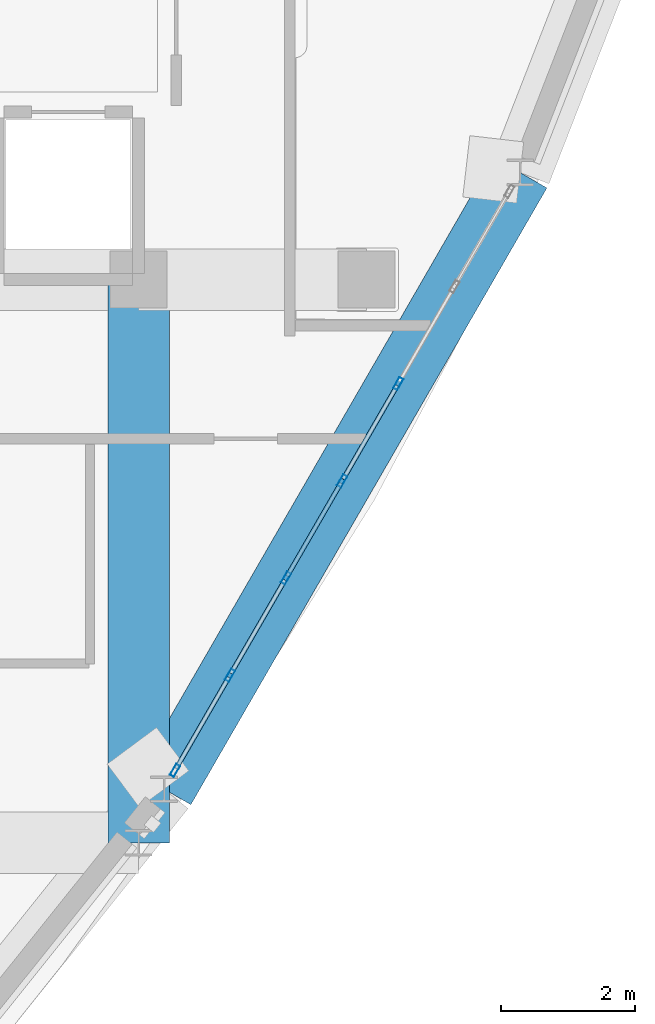
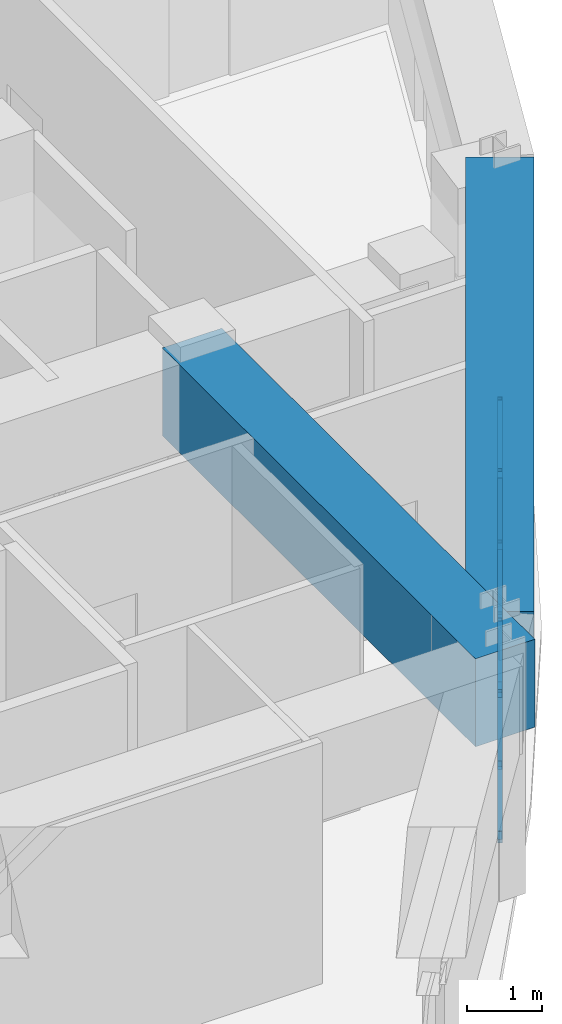
# One storey, part 4 of 16: 14 members, 2 beams, 1 element without a shape of its own.
"""IFC4 building model written with IfcOpenShell, lengths in metres."""

from ifc_helpers import new_model, si_unit, derived_unit, direction, frame, origin, origin_2d, place, context, subcontext, project, spatial, rectangle, hollow_rectangle, extrude, source, transform, mapped, material, layer, layer_set, material_profile, profile_set, type_object, element, aggregate, save


model = new_model("IFC4")

# Units and contexts
model_context = context("Model", 3, precision=1e-05, world=origin(), true_north=direction((0.0, 1.0)))
body_context = subcontext(model_context, "Body", "Model", "MODEL_VIEW")
ifc_project = project(units=[si_unit("LENGTHUNIT", "METRE"), si_unit("AREAUNIT", "SQUARE_METRE"), si_unit("VOLUMEUNIT", "CUBIC_METRE"), si_unit("PLANEANGLEUNIT", "RADIAN"), si_unit("MASSUNIT", "GRAM", prefix="KILO"), derived_unit("THERMALTRANSMITTANCEUNIT", [(si_unit("POWERUNIT", "WATT"), 1), (si_unit("LENGTHUNIT", "METRE"), -2), (si_unit("THERMODYNAMICTEMPERATUREUNIT", "KELVIN"), -1)])], contexts=[model_context])

# Site, building, storey
site_placement = place(None, origin())
site = spatial("IfcSite", under=ifc_project, at=site_placement, CompositionType="ELEMENT")
building_placement = place(site_placement, origin())
building = spatial("IfcBuilding", under=site, at=building_placement, Name="Korsvarv Bourse and Concert Hall", CompositionType="ELEMENT")
storey_placement = place(building_placement, frame((0.0, 0.0, 288.0)))
storey = spatial("IfcBuildingStorey", under=building, at=storey_placement, Name="L75", CompositionType="ELEMENT", Elevation=288.0)

# Beams
ifc_material_1 = material(Name="Concrete C50/60", Category="concrete")
ifc_material_profile_1 = material_profile(ifc_material_1, rectangle(XDim=0.919921875, YDim=1.43994140625, at=origin_2d()), Name="RC-BM 920x1440")
ifc_profile_set_1 = profile_set([ifc_material_profile_1], Name="Concrete C50/60")
beam_type = type_object("IfcBeamType", Name="BM-TR-144", PredefinedType="BEAM", material=ifc_profile_set_1)
shared_shape_1 = source(origin(), body_context, "Body", "SweptSolid", [
    extrude(rectangle(XDim=0.919921875, YDim=1.43994140625, at=origin_2d()), origin(), (0.0, 0.0, 1.0), 8.39990234375),
])
beam_1_placement = place(storey_placement, frame((44.39990234375, 24.0, 3.22998046875), z_axis=(0.0, 1.0, 0.0), x_axis=(-1.0, 0.0, 0.0)))
element("IfcBeam", 1, at=beam_1_placement, inside=storey, type_object=beam_type, Name="L75 beam B-TR4", PredefinedType="BEAM", context=body_context, shape_type="MappedRepresentation", body=[
    mapped(shared_shape_1, transform((0.0, 0.0, 0.0), scale=1.0)),
])
shared_shape_2 = source(origin(), body_context, "Body", "SweptSolid", [
    extrude(rectangle(XDim=0.919921875, YDim=1.43994140625, at=origin_2d()), origin(), (0.0, 0.0, 1.0), 10.620361328125),
])
beam_2_placement = place(storey_placement, frame((44.77978515625, 24.79931640625, 3.22998046875), z_axis=(0.500008332643, 0.866020592877, 0.0), x_axis=(-0.866020592877, 0.500008332643, 0.0)))
element("IfcBeam", 2, at=beam_2_placement, inside=storey, type_object=beam_type, Name="L75 beam B-TR4", PredefinedType="BEAM", context=body_context, shape_type="MappedRepresentation", body=[
    mapped(shared_shape_2, transform((0.0, 0.0, 0.0), scale=1.0)),
])

# Curtain wall, members
ifc_material_2 = material(Name="Anodised aluminium and triple low-E glazing", Category="glass")
ifc_layer = layer(ifc_material_2, 0.18994140625)
ifc_layer_set = layer_set([ifc_layer], Name="Anodised aluminium and triple low-E glazing")
curtain_wall_type = type_object("IfcCurtainWallType", Name="CW-SYS-4", PredefinedType="NOTDEFINED", material=ifc_layer_set)
curtain_wall_placement = place(storey_placement, origin())
curtain_wall = element("IfcCurtainWall", 3, at=curtain_wall_placement, inside=storey, type_object=curtain_wall_type, Name="L75 CW4 curtain wall CW-L75-F11", PredefinedType="NOTDEFINED")
ifc_material_3 = material(Name="Extruded aluminium EN AW-6063 T66", Category="aluminium")
ifc_material_profile_2 = material_profile(ifc_material_3, hollow_rectangle(XDim=0.070068359375, YDim=0.18994140625, WallThickness=0.0048828125, at=origin_2d()), Name="ALU-M 70x190")
ifc_profile_set_2 = profile_set([ifc_material_profile_2], Name="Extruded aluminium EN AW-6063 T66")
member_type_1 = type_object("IfcMemberType", Name="CWM-190", PredefinedType="MULLION", material=ifc_profile_set_2)
shared_shape_3 = source(origin(), body_context, "Body", "SweptSolid", [
    extrude(hollow_rectangle(XDim=0.070068359375, YDim=0.18994140625, WallThickness=0.0048828125, at=origin_2d()), origin(), (0.0, 0.0, 1.0), 2.510009765625),
])
member_1_placement = place(storey_placement, frame((44.94140625, 25.0791015625, 0.0), z_axis=(0.0, 0.0, 1.0), x_axis=(-0.866022776267, 0.500004550967, 0.0)))
member_1 = element("IfcMember", 4, at=member_1_placement, type_object=member_type_1, Name="CW4 mullion 1", PredefinedType="MULLION", context=body_context, shape_type="MappedRepresentation", body=[
    mapped(shared_shape_3, transform((0.0, 0.0, 0.0), scale=1.0)),
])
member_2_placement = place(storey_placement, frame((45.760986328125, 26.49853515625, 0.0), z_axis=(0.0, 0.0, 1.0), x_axis=(-0.866022776267, 0.500004550967, 0.0)))
member_2 = element("IfcMember", 5, at=member_2_placement, type_object=member_type_1, Name="CW4 mullion 2", PredefinedType="MULLION", context=body_context, shape_type="MappedRepresentation", body=[
    mapped(shared_shape_3, transform((0.0, 0.0, 0.0), scale=1.0)),
])
member_3_placement = place(storey_placement, frame((46.597900390625, 27.9482421875, 0.0), z_axis=(0.0, 0.0, 1.0), x_axis=(-0.866022776267, 0.500004550967, 0.0)))
member_3 = element("IfcMember", 6, at=member_3_placement, type_object=member_type_1, Name="CW4 mullion 3", PredefinedType="MULLION", context=body_context, shape_type="MappedRepresentation", body=[
    mapped(shared_shape_3, transform((0.0, 0.0, 0.0), scale=1.0)),
])
member_4_placement = place(storey_placement, frame((47.43505859375, 29.39794921875, 0.0), z_axis=(0.0, 0.0, 1.0), x_axis=(-0.866022776267, 0.500004550967, 0.0)))
member_4 = element("IfcMember", 7, at=member_4_placement, type_object=member_type_1, Name="CW4 mullion 4", PredefinedType="MULLION", context=body_context, shape_type="MappedRepresentation", body=[
    mapped(shared_shape_3, transform((0.0, 0.0, 0.0), scale=1.0)),
])
member_5_placement = place(storey_placement, frame((48.27197265625, 30.84765625, 0.0), z_axis=(0.0, 0.0, 1.0), x_axis=(-0.866022776267, 0.500004550967, 0.0)))
member_5 = element("IfcMember", 8, at=member_5_placement, type_object=member_type_1, Name="CW4 mullion 5", PredefinedType="MULLION", context=body_context, shape_type="MappedRepresentation", body=[
    mapped(shared_shape_3, transform((0.0, 0.0, 0.0), scale=1.0)),
])
ifc_material_profile_3 = material_profile(ifc_material_3, hollow_rectangle(XDim=0.06494140625, YDim=0.139892578125, WallThickness=0.00390625, at=origin_2d()), Name="ALU-T 65x140")
ifc_profile_set_3 = profile_set([ifc_material_profile_3], Name="Extruded aluminium EN AW-6063 T66")
member_type_2 = type_object("IfcMemberType", Name="CWT-140", PredefinedType="USERDEFINED", material=ifc_profile_set_3)
shared_shape_4 = source(origin(), body_context, "Body", "SweptSolid", [
    extrude(hollow_rectangle(XDim=0.06494140625, YDim=0.139892578125, WallThickness=0.00390625, at=origin_2d()), origin(), (0.0, 0.0, 1.0), 1.569091796875),
])
member_6_placement = place(storey_placement, frame((44.958984375, 25.109375, 0.032470703125), z_axis=(0.499937961795, 0.866061218596, 0.0), x_axis=(-0.866061218596, 0.499937961795, 0.0)))
member_6 = element("IfcMember", 9, at=member_6_placement, type_object=member_type_2, Name="CW4 transom 1.1", ObjectType="TRANSOM", PredefinedType="USERDEFINED", context=body_context, shape_type="MappedRepresentation", body=[
    mapped(shared_shape_4, transform((0.0, 0.0, 0.0), scale=1.0)),
])
member_7_placement = place(storey_placement, frame((44.958984375, 25.109375, 2.4775390625), z_axis=(0.499937961795, 0.866061218596, 0.0), x_axis=(-0.866061218596, 0.499937961795, 0.0)))
member_7 = element("IfcMember", 10, at=member_7_placement, type_object=member_type_2, Name="CW4 transom 1.2", ObjectType="TRANSOM", PredefinedType="USERDEFINED", context=body_context, shape_type="MappedRepresentation", body=[
    mapped(shared_shape_4, transform((0.0, 0.0, 0.0), scale=1.0)),
])
shared_shape_5 = source(origin(), body_context, "Body", "SweptSolid", [
    extrude(hollow_rectangle(XDim=0.06494140625, YDim=0.139892578125, WallThickness=0.00390625, at=origin_2d()), origin(), (0.0, 0.0, 1.0), 1.60400390625),
])
member_8_placement = place(storey_placement, frame((46.615478515625, 27.978515625, 0.032470703125), z_axis=(0.499985955615, 0.866033512162, 0.0), x_axis=(-0.866033512162, 0.499985955615, 0.0)))
member_8 = element("IfcMember", 11, at=member_8_placement, type_object=member_type_2, Name="CW4 transom 3.1", ObjectType="TRANSOM", PredefinedType="USERDEFINED", context=body_context, shape_type="MappedRepresentation", body=[
    mapped(shared_shape_5, transform((0.0, 0.0, 0.0), scale=1.0)),
])
member_9_placement = place(storey_placement, frame((46.615478515625, 27.978515625, 2.4775390625), z_axis=(0.499985955615, 0.866033512162, 0.0), x_axis=(-0.866033512162, 0.499985955615, 0.0)))
member_9 = element("IfcMember", 12, at=member_9_placement, type_object=member_type_2, Name="CW4 transom 3.2", ObjectType="TRANSOM", PredefinedType="USERDEFINED", context=body_context, shape_type="MappedRepresentation", body=[
    mapped(shared_shape_5, transform((0.0, 0.0, 0.0), scale=1.0)),
])
shared_shape_6 = source(origin(), body_context, "Body", "SweptSolid", [
    extrude(hollow_rectangle(XDim=0.06494140625, YDim=0.139892578125, WallThickness=0.00390625, at=origin_2d()), origin(), (0.0, 0.0, 1.0), 1.604248046875),
])
member_10_placement = place(storey_placement, frame((45.7783203125, 26.52880859375, 0.032470703125), z_axis=(0.500100096767, 0.865967605175, 0.0), x_axis=(-0.865967605175, 0.500100096767, 0.0)))
member_10 = element("IfcMember", 13, at=member_10_placement, type_object=member_type_2, Name="CW4 transom 2.1", ObjectType="TRANSOM", PredefinedType="USERDEFINED", context=body_context, shape_type="MappedRepresentation", body=[
    mapped(shared_shape_6, transform((0.0, 0.0, 0.0), scale=1.0)),
])
member_11_placement = place(storey_placement, frame((45.7783203125, 26.52880859375, 2.4775390625), z_axis=(0.500100096767, 0.865967605175, 0.0), x_axis=(-0.865967605175, 0.500100096767, 0.0)))
member_11 = element("IfcMember", 14, at=member_11_placement, type_object=member_type_2, Name="CW4 transom 2.2", ObjectType="TRANSOM", PredefinedType="USERDEFINED", context=body_context, shape_type="MappedRepresentation", body=[
    mapped(shared_shape_6, transform((0.0, 0.0, 0.0), scale=1.0)),
])
member_12_placement = place(storey_placement, frame((47.452392578125, 29.42822265625, 0.032470703125), z_axis=(0.500100096767, 0.865967605175, 0.0), x_axis=(-0.865967605175, 0.500100096767, 0.0)))
member_12 = element("IfcMember", 15, at=member_12_placement, type_object=member_type_2, Name="CW4 transom 4.1", ObjectType="TRANSOM", PredefinedType="USERDEFINED", context=body_context, shape_type="MappedRepresentation", body=[
    mapped(shared_shape_6, transform((0.0, 0.0, 0.0), scale=1.0)),
])
member_13_placement = place(storey_placement, frame((47.452392578125, 29.42822265625, 2.4775390625), z_axis=(0.500100096767, 0.865967605175, 0.0), x_axis=(-0.865967605175, 0.500100096767, 0.0)))
member_13 = element("IfcMember", 16, at=member_13_placement, type_object=member_type_2, Name="CW4 transom 4.2", ObjectType="TRANSOM", PredefinedType="USERDEFINED", context=body_context, shape_type="MappedRepresentation", body=[
    mapped(shared_shape_6, transform((0.0, 0.0, 0.0), scale=1.0)),
])
ifc_material_profile_4 = material_profile(ifc_material_3, hollow_rectangle(XDim=0.06494140625, YDim=0.1650390625, WallThickness=0.0048828125, at=origin_2d()), Name="ALU-M 65x165")
ifc_profile_set_4 = profile_set([ifc_material_profile_4], Name="Extruded aluminium EN AW-6063 T66")
member_type_3 = type_object("IfcMemberType", Name="CWM-165", PredefinedType="MULLION", material=ifc_profile_set_4)
shared_shape_7 = source(origin(), body_context, "Body", "SweptSolid", [
    extrude(hollow_rectangle(XDim=0.06494140625, YDim=0.1650390625, WallThickness=0.0048828125, at=origin_2d()), origin(), (0.0, 0.0, 1.0), 2.8701171875),
])
member_14_placement = place(storey_placement, frame((46.615478515625, 27.978515625, 0.06494140625), z_axis=(0.279424915467, 0.483996276715, 0.829258295552), x_axis=(-0.866033512162, 0.499985955615, 0.0)))
member_14 = element("IfcMember", 17, at=member_14_placement, type_object=member_type_3, Name="CW4 diagonal mullion 3", PredefinedType="MULLION", context=body_context, shape_type="MappedRepresentation", body=[
    mapped(shared_shape_7, transform((0.0, 0.0, 0.0), scale=1.0)),
])
aggregate(curtain_wall, [member_1, member_2, member_3, member_4, member_5, member_6, member_7, member_10, member_11, member_8, member_9, member_14, member_12, member_13])

save(model, "model.ifc")
